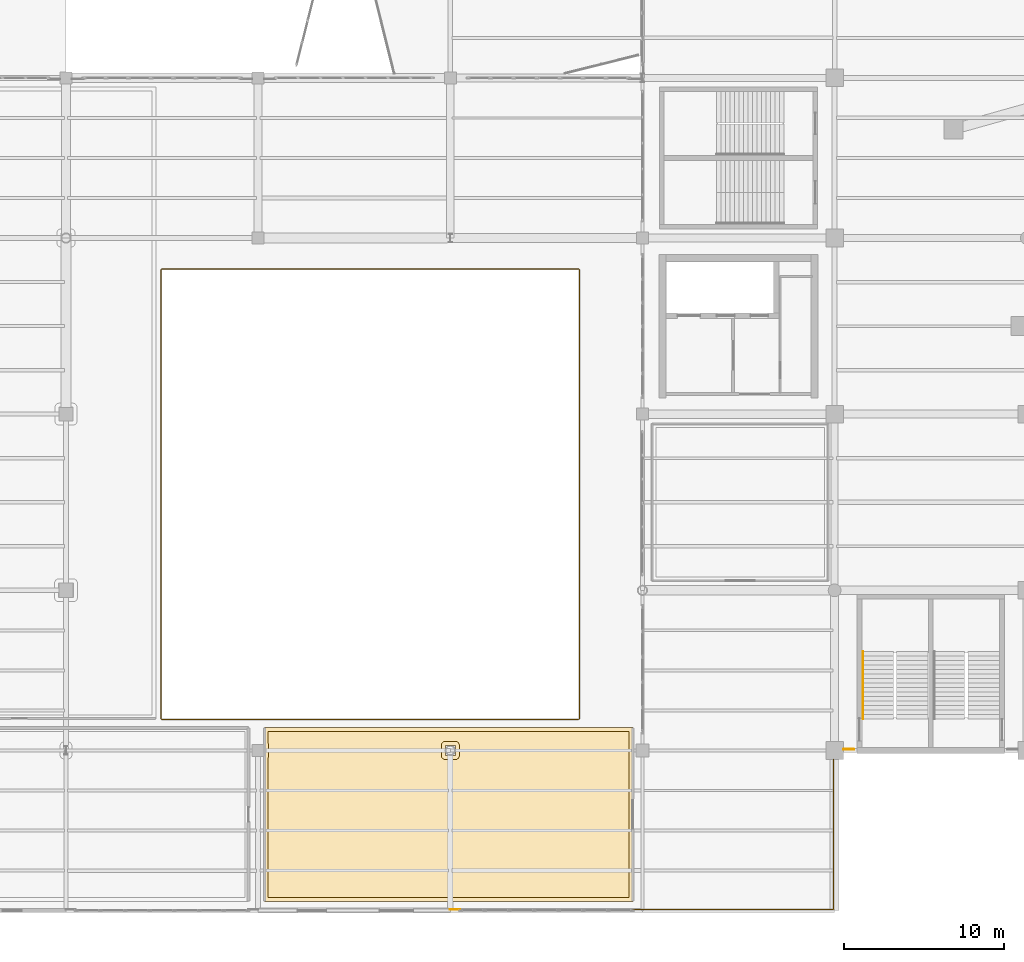
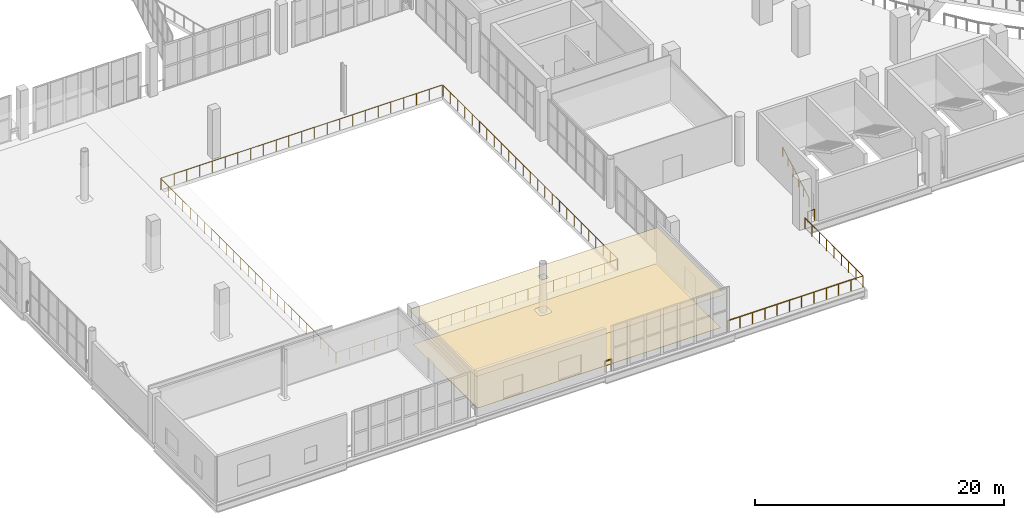
# One storey, part 121 of 136: 5 railings, 2 coverings.
"""IFC4 building model written with IfcOpenShell, lengths in metres."""

import ifcopenshell
import ifcopenshell.guid

model = None  # the IFC model being written
_history = None  # IfcOwnerHistory: only IFC2X3 demands one
_inside = {}  # id of a spatial element -> (the spatial element, [elements in it])
_under = {}  # id of a project, library or spatial element -> (it, [spatial elements below it])
_declared = {}  # id of a project -> (the project, [libraries it declares])
_typed = {}  # id of a type object -> (the type object, [elements of that type])
_made_of = {}  # id of a material, layer set ... -> (it, [elements and type objects made of it])


def new_model(schema):
    """Start an empty IFC model of exactly this schema.

    Asked for "IFC4X3", IfcOpenShell would pick the latest addendum, in which some entities
    have other attributes; the version numbers below select the first issue.
    IFC2X3 requires an IfcOwnerHistory on every rooted entity: one is made here for all.
    """
    global model, _history
    if schema == "IFC4X3":
        model = ifcopenshell.file(schema_version=(4, 3, 0, 0))
    else:
        model = ifcopenshell.file(schema=schema)
    _inside.clear()
    _under.clear()
    _declared.clear()
    _typed.clear()
    _made_of.clear()
    _history = None
    if model.schema == "IFC2X3":
        org = make("IfcOrganization", Name="unknown")
        user = make(
            "IfcPersonAndOrganization",
            ThePerson=make("IfcPerson", FamilyName="unknown"),
            TheOrganization=org,
        )
        app = make(
            "IfcApplication",
            ApplicationDeveloper=org,
            Version="unknown",
            ApplicationFullName="unknown",
            ApplicationIdentifier="unknown",
        )
        _history = make(
            "IfcOwnerHistory",
            OwningUser=user,
            OwningApplication=app,
            ChangeAction="ADDED",
            CreationDate=0,
        )
    return model


def make(cls, **values):
    """One entity of the class cls with the attributes given. An attribute that is None is left unset."""
    return model.create_entity(
        cls, **{name: value for name, value in values.items() if value is not None}
    )


def rooted(cls, **values):
    """An entity with a GlobalId (a new one), such as an element, a storey or a relation."""
    return make(cls, GlobalId=ifcopenshell.guid.new(), OwnerHistory=_history, **values)


def si_unit(unit_type, name, prefix=None):
    """IfcSIUnit, for example si_unit("LENGTHUNIT", "METRE", prefix="MILLI")."""
    return make("IfcSIUnit", UnitType=unit_type, Prefix=prefix, Name=name)


def assignment(units):
    """IfcUnitAssignment: the units of a project."""
    return None if units is None else make("IfcUnitAssignment", Units=units)


def point(xyz):
    """IfcCartesianPoint."""
    return None if xyz is None else make("IfcCartesianPoint", Coordinates=xyz)


def direction(xyz):
    """IfcDirection."""
    return None if xyz is None else make("IfcDirection", DirectionRatios=xyz)


def frame(location, z_axis=None, x_axis=None):
    """IfcAxis2Placement3D, a coordinate frame: its origin and axes. An axis left out is left unset."""
    return make(
        "IfcAxis2Placement3D",
        Location=point(location),
        Axis=direction(z_axis),
        RefDirection=direction(x_axis),
    )


def frame_2d(location, x_axis=None):
    """IfcAxis2Placement2D, a coordinate frame in the plane: its origin and x axis."""
    return make(
        "IfcAxis2Placement2D", Location=point(location), RefDirection=direction(x_axis)
    )


def origin():
    """The frame at (0, 0, 0) with its axes left unset."""
    return frame((0.0, 0.0, 0.0))


def origin_2d():
    """The frame at (0, 0) in the plane with its x axis left unset."""
    return frame_2d((0.0, 0.0))


def place(relative_to, where):
    """IfcLocalPlacement: puts the frame where relative to a parent placement (None: the world)."""
    return make(
        "IfcLocalPlacement", PlacementRelTo=relative_to, RelativePlacement=where
    )


def context(
    kind, dimensions, precision=None, world=None, true_north=None, identifier=None
):
    """IfcGeometricRepresentationContext, for example the 3D "Model" context."""
    return make(
        "IfcGeometricRepresentationContext",
        ContextIdentifier=identifier,
        ContextType=kind,
        CoordinateSpaceDimension=dimensions,
        Precision=precision,
        WorldCoordinateSystem=world,
        TrueNorth=true_north,
    )


def subcontext(parent, identifier, kind, view, scale=None):
    """IfcGeometricRepresentationSubContext, for example "Body" below "Model"."""
    return make(
        "IfcGeometricRepresentationSubContext",
        ContextIdentifier=identifier,
        ContextType=kind,
        ParentContext=parent,
        TargetScale=scale,
        TargetView=view,
    )


def project(units=None, contexts=None):
    """IfcProject with its units and contexts."""
    return rooted(
        "IfcProject",
        Name="project",
        RepresentationContexts=contexts,
        UnitsInContext=assignment(units),
    )


def spatial(cls, under=None, at=None, **own):
    """A site, building, storey or space (cls), placed at a placement, below another one or the project."""
    s = rooted(cls, ObjectPlacement=at, **own)
    if under is not None:
        _under.setdefault(under.id(), (under, []))[1].append(s)
    return s


def polyline(points):
    """IfcPolyline through the points."""
    return make("IfcPolyline", Points=[point(p) for p in points])


def profile(cls, at=None, kind="AREA", **sizes):
    """A parametric profile (cls). Its sizes go by their IFC names, for example OverallWidth=200.0."""
    return make(cls, ProfileType=kind, Position=at, **sizes)


def circle(**sizes):
    """IfcCircleProfileDef."""
    return profile("IfcCircleProfileDef", **sizes)


def outline(outer, holes=None, kind="AREA"):
    """IfcArbitraryClosedProfileDef: a profile drawn as a closed curve; with holes, ...WithVoids."""
    if holes is None:
        return make("IfcArbitraryClosedProfileDef", ProfileType=kind, OuterCurve=outer)
    return make(
        "IfcArbitraryProfileDefWithVoids",
        ProfileType=kind,
        OuterCurve=outer,
        InnerCurves=holes,
    )


def extrude(swept, where, along, depth):
    """IfcExtrudedAreaSolid: the profile swept, set in the frame where, extruded along a direction by depth."""
    return make(
        "IfcExtrudedAreaSolid",
        SweptArea=swept,
        Position=where,
        ExtrudedDirection=direction(along),
        Depth=depth,
    )


def shape(context_of_items, identifier, shape_type, items):
    """IfcShapeRepresentation: the items that make up one representation, for example the "Body"."""
    return make(
        "IfcShapeRepresentation",
        ContextOfItems=context_of_items,
        RepresentationIdentifier=identifier,
        RepresentationType=shape_type,
        Items=items,
    )


def material(Name=None, Category=None):
    """IfcMaterial."""
    return make("IfcMaterial", Name=Name, Category=Category)


def layer(
    of_material, thickness, ventilated=None, Name=None, Category=None, Priority=None
):
    """IfcMaterialLayer: one layer of a wall or slab, of a material (None: an air gap)."""
    return make(
        "IfcMaterialLayer",
        Material=of_material,
        LayerThickness=thickness,
        IsVentilated=ventilated,
        Name=Name,
        Category=Category,
        Priority=Priority,
    )


def layer_set(layers, Name=None):
    """IfcMaterialLayerSet."""
    return make("IfcMaterialLayerSet", MaterialLayers=layers, LayerSetName=Name)


def made_of(thing, what):
    """Note that an element or type object is made of a material, layer set ...; save() writes the relation."""
    if what is not None:
        _made_of.setdefault(what.id(), (what, []))[1].append(thing)
    return thing


def type_object(cls, material=None, **own):
    """A type object (cls), such as IfcWallType, which elements share."""
    return made_of(rooted(cls, **own), material)


def element(
    cls,
    number,
    at=None,
    inside=None,
    cuts=None,
    type_object=None,
    material=None,
    context=None,
    identifier="Body",
    shape_type=None,
    held_by="IfcProductDefinitionShape",
    body=None,
    shapes=None,
    **own,
):
    """One element of the class cls, such as IfcWall. Its Tag is "e" and its number.

    at: its placement. inside: the storey or other place that contains it. cuts: it is an
    opening in that element (IfcRelVoidsElement). A single representation is given by context,
    identifier, shape_type and body (its items); several are given by shapes. held_by: the class
    of the entity that holds the representations. save() writes the other relations.
    """
    e = rooted(cls, Tag="e%d" % number, ObjectPlacement=at, **own)
    if body is not None:
        shapes = [shape(context, identifier, shape_type, body)]
    if shapes is not None:
        e.Representation = make(held_by, Representations=shapes)
    if inside is not None:
        _inside.setdefault(inside.id(), (inside, []))[1].append(e)
    if cuts is not None:
        rooted(
            "IfcRelVoidsElement", RelatingBuildingElement=cuts, RelatedOpeningElement=e
        )
    if type_object is not None:
        _typed.setdefault(type_object.id(), (type_object, []))[1].append(e)
    return made_of(e, material)


def aggregate(whole, parts):
    """IfcRelAggregates: a whole, such as a stair, and the parts it consists of."""
    return rooted("IfcRelAggregates", RelatingObject=whole, RelatedObjects=parts)


def save(model, path):
    """Write the relations noted so far, then the file.

    IfcRelAggregates (storeys below a building ...), IfcRelContainedInSpatialStructure (elements
    in a storey), IfcRelDefinesByType, IfcRelAssociatesMaterial and IfcRelDeclares: one each for
    every whole, place, type object, material and project.
    """
    for whole, parts in _under.values():
        aggregate(whole, parts)
    for where, things in _inside.values():
        rooted(
            "IfcRelContainedInSpatialStructure",
            RelatedElements=things,
            RelatingStructure=where,
        )
    for kind, things in _typed.values():
        rooted("IfcRelDefinesByType", RelatedObjects=things, RelatingType=kind)
    for what, things in _made_of.values():
        rooted("IfcRelAssociatesMaterial", RelatedObjects=things, RelatingMaterial=what)
    for by, libraries in _declared.values():
        rooted("IfcRelDeclares", RelatingContext=by, RelatedDefinitions=libraries)
    model.write(path)


model = new_model("IFC4")

# Units and contexts
model_context = context("Model", 3, precision=1e-05, world=origin(), true_north=direction((0.0, 1.0)))
body_context = subcontext(model_context, "Body", "Model", "MODEL_VIEW")
ifc_project = project(units=[si_unit("LENGTHUNIT", "METRE"), si_unit("AREAUNIT", "SQUARE_METRE"), si_unit("VOLUMEUNIT", "CUBIC_METRE"), si_unit("PLANEANGLEUNIT", "RADIAN"), si_unit("MASSUNIT", "GRAM", prefix="KILO")], contexts=[model_context])

# Site, building, storey
site_placement = place(None, origin())
site = spatial("IfcSite", under=ifc_project, at=site_placement, CompositionType="ELEMENT")
building_placement = place(site_placement, origin())
building = spatial("IfcBuilding", under=site, at=building_placement, Name="Brinegate Civic Arena", CompositionType="ELEMENT")
storey_placement = place(building_placement, frame((0.0, 0.0, 5.39990234375)))
storey = spatial("IfcBuildingStorey", under=building, at=storey_placement, Name="L01", CompositionType="ELEMENT", Elevation=5.39990234375)

# Coverings
ifc_material_1 = material(Name="Acoustic perforated aluminium ceiling", Category="aluminium")
ifc_layer_1 = layer(ifc_material_1, 0.02490234375, Name="Acoustic perforated aluminium ceiling")
ifc_layer_set_1 = layer_set([ifc_layer_1], Name="Acoustic perforated aluminium ceiling")
covering_type_1 = type_object("IfcCoveringType", Name="CEILING-ACOUSTIC-25", PredefinedType="CEILING", material=ifc_layer_set_1)
covering_1_placement = place(storey_placement, frame((0.0, 0.0, 3.3251953125)))
element("IfcCovering", 1, at=covering_1_placement, inside=storey, type_object=covering_type_1, Name="Acoustic Ceiling L01-003", PredefinedType="CEILING", context=body_context, shape_type="SweptSolid", body=[
    extrude(outline(polyline([(47.404052734375, 11.419921875), (47.406005859375, 11.4189453125), (47.407958984375, 11.41796875), (47.408935546875, 11.41796875), (47.410888671875, 11.4169921875), (47.4130859375, 11.4150390625), (47.4140625, 11.4140625), (47.4150390625, 11.4130859375), (47.4169921875, 11.410888671875), (47.41796875, 11.408935546875), (47.41796875, 11.407958984375), (47.4189453125, 11.406005859375), (47.419921875, 11.404052734375), (47.419921875, 11.402099609375), (47.419921875, 11.39990234375), (47.419921875, 0.60009765625), (47.419921875, 0.597900390625), (47.419921875, 0.595947265625), (47.4189453125, 0.593994140625), (47.41796875, 0.592041015625), (47.41796875, 0.591064453125), (47.4169921875, 0.589111328125), (47.4150390625, 0.5869140625), (47.4140625, 0.5859375), (47.4130859375, 0.5849609375), (47.410888671875, 0.5830078125), (47.408935546875, 0.58203125), (47.407958984375, 0.58203125), (47.406005859375, 0.5810546875), (47.404052734375, 0.580078125), (47.402099609375, 0.580078125), (47.39990234375, 0.580078125), (24.39990234375, 0.580078125), (24.39794921875, 0.580078125), (24.39599609375, 0.580078125), (24.39404296875, 0.5810546875), (24.39208984375, 0.58203125), (24.39111328125, 0.58203125), (24.388916015625, 0.5830078125), (24.386962890625, 0.5849609375), (24.385986328125, 0.5859375), (24.385009765625, 0.5869140625), (24.383056640625, 0.589111328125), (24.382080078125, 0.591064453125), (24.382080078125, 0.592041015625), (24.381103515625, 0.593994140625), (24.3798828125, 0.595947265625), (24.3798828125, 0.597900390625), (24.3798828125, 0.60009765625), (24.3798828125, 9.614990234375), (24.385009765625, 9.614990234375), (24.385009765625, 10.385009765625), (24.3798828125, 10.385009765625), (24.3798828125, 11.39990234375), (24.3798828125, 11.402099609375), (24.3798828125, 11.404052734375), (24.381103515625, 11.406005859375), (24.382080078125, 11.407958984375), (24.382080078125, 11.408935546875), (24.383056640625, 11.410888671875), (24.385009765625, 11.4130859375), (24.385986328125, 11.4140625), (24.386962890625, 11.4150390625), (24.388916015625, 11.4169921875), (24.39111328125, 11.41796875), (24.39208984375, 11.41796875), (24.39404296875, 11.4189453125), (24.39599609375, 11.419921875), (24.39794921875, 11.419921875), (24.39990234375, 11.419921875), (47.39990234375, 11.419921875), (47.402099609375, 11.419921875), (47.404052734375, 11.419921875)]), holes=[polyline([(36.31494140625, 10.31494140625), (35.68505859375, 10.31494140625), (35.68505859375, 9.68505859375), (36.31494140625, 9.68505859375), (36.31494140625, 10.31494140625)])]), origin(), (0.0, 0.0, 1.0), 0.02490234375),
])
ifc_material_2 = material(Name="Polished coral terrazzo flooring")
ifc_layer_2 = layer(ifc_material_2, 0.028076171875, Name="Polished coral terrazzo flooring")
ifc_layer_set_2 = layer_set([ifc_layer_2], Name="Polished coral terrazzo flooring")
covering_type_2 = type_object("IfcCoveringType", Name="FLOORING-TERRAZZO-28", PredefinedType="FLOORING", material=ifc_layer_set_2)
covering_2_placement = place(storey_placement, origin())
element("IfcCovering", 2, at=covering_2_placement, inside=storey, type_object=covering_type_2, Name="Flooring L01-003", PredefinedType="FLOORING", context=body_context, shape_type="SweptSolid", body=[
    extrude(outline(polyline([(24.6298828125, 11.169921875), (47.169921875, 11.169921875), (47.169921875, 0.830078125), (24.6298828125, 0.830078125), (24.6298828125, 9.56494140625), (24.6298828125, 9.56591796875), (24.634033203125, 9.590087890625), (24.635009765625, 9.614990234375), (24.635009765625, 10.385009765625), (24.634033203125, 10.409912109375), (24.6298828125, 10.43408203125), (24.6298828125, 10.43505859375), (24.6298828125, 11.169921875)]), holes=[polyline([(36.56494140625, 10.31494140625), (36.56396484375, 10.340087890625), (36.56005859375, 10.364013671875), (36.553955078125, 10.387939453125), (36.5458984375, 10.410888671875), (36.534912109375, 10.43310546875), (36.52294921875, 10.4541015625), (36.508056640625, 10.47412109375), (36.491943359375, 10.491943359375), (36.47412109375, 10.508056640625), (36.4541015625, 10.52294921875), (36.43310546875, 10.534912109375), (36.410888671875, 10.5458984375), (36.387939453125, 10.553955078125), (36.364013671875, 10.56005859375), (36.340087890625, 10.56396484375), (36.31494140625, 10.56494140625), (35.68505859375, 10.56494140625), (35.659912109375, 10.56396484375), (35.635986328125, 10.56005859375), (35.612060546875, 10.553955078125), (35.589111328125, 10.5458984375), (35.56689453125, 10.534912109375), (35.5458984375, 10.52294921875), (35.52587890625, 10.508056640625), (35.508056640625, 10.491943359375), (35.491943359375, 10.47412109375), (35.47705078125, 10.4541015625), (35.465087890625, 10.43310546875), (35.4541015625, 10.410888671875), (35.446044921875, 10.387939453125), (35.43994140625, 10.364013671875), (35.43603515625, 10.340087890625), (35.43505859375, 10.31494140625), (35.43505859375, 9.68505859375), (35.43603515625, 9.659912109375), (35.43994140625, 9.635986328125), (35.446044921875, 9.612060546875), (35.4541015625, 9.589111328125), (35.465087890625, 9.56689453125), (35.47705078125, 9.5458984375), (35.491943359375, 9.52587890625), (35.508056640625, 9.508056640625), (35.52587890625, 9.491943359375), (35.5458984375, 9.47705078125), (35.56689453125, 9.465087890625), (35.589111328125, 9.4541015625), (35.612060546875, 9.446044921875), (35.635986328125, 9.43994140625), (35.659912109375, 9.43603515625), (35.68505859375, 9.43505859375), (36.31494140625, 9.43505859375), (36.340087890625, 9.43603515625), (36.364013671875, 9.43994140625), (36.387939453125, 9.446044921875), (36.410888671875, 9.4541015625), (36.43310546875, 9.465087890625), (36.4541015625, 9.47705078125), (36.47412109375, 9.491943359375), (36.491943359375, 9.508056640625), (36.508056640625, 9.52587890625), (36.52294921875, 9.5458984375), (36.534912109375, 9.56689453125), (36.5458984375, 9.589111328125), (36.553955078125, 9.612060546875), (36.56005859375, 9.635986328125), (36.56396484375, 9.659912109375), (36.56494140625, 9.68505859375), (36.56494140625, 10.31494140625)])]), origin(), (0.0, 0.0, 1.0), 0.028076171875),
])

# Railings
ifc_material_3 = material(Name="Architectural stainless steel balustrade", Category="steel")
railing_type_1 = type_object("IfcRailingType", Name="RAIL-STAIR-HANDRAIL-900", PredefinedType="HANDRAIL", material=ifc_material_3)
railing_1_placement = place(storey_placement, frame((61.77490234375, 11.969970703125, 0.0)))
element("IfcRailing", 3, at=railing_1_placement, inside=storey, type_object=railing_type_1, Name="Stair Pitch Handrail ST-02A L01", PredefinedType="HANDRAIL", context=body_context, shape_type="SweptSolid", body=[
    extrude(circle(Radius=0.02392578125, at=origin_2d()), frame((0.0, 0.001220703125, 0.876708984375), z_axis=(0.0, 0.868227612608, 0.496166114024), x_axis=(-1.0, 0.0, 0.0)), (0.0, 0.0, 1.0), 4.83447265625),
    extrude(circle(Radius=0.02099609375, at=origin_2d()), origin(), (0.0, 0.0, 1.0), 0.849853515625),
    extrude(circle(Radius=0.02099609375, at=origin_2d()), frame((0.0, 0.840087890625, 0.47998046875)), (0.0, 0.0, 1.0), 0.849853515625),
    extrude(circle(Radius=0.02099609375, at=origin_2d()), frame((0.0, 1.679931640625, 0.9599609375)), (0.0, 0.0, 1.0), 0.849853515625),
    extrude(circle(Radius=0.02099609375, at=origin_2d()), frame((0.0, 2.52001953125, 1.440185546875)), (0.0, 0.0, 1.0), 0.849853515625),
    extrude(circle(Radius=0.02099609375, at=origin_2d()), frame((0.0, 3.35986328125, 1.920166015625)), (0.0, 0.0, 1.0), 0.849853515625),
    extrude(circle(Radius=0.02099609375, at=origin_2d()), frame((0.0, 4.199951171875, 2.400146484375)), (0.0, 0.0, 1.0), 0.849853515625),
])
railing_type_2 = type_object("IfcRailingType", Name="RAIL-VOID-BALUSTRADE-1120", PredefinedType="BALUSTRADE", material=ifc_material_3)
railing_2_placement = place(storey_placement, frame((61.199951171875, 10.070068359375, 0.0)))
element("IfcRailing", 4, at=railing_2_placement, inside=storey, type_object=railing_type_2, Name="Deck Edge Balustrade L01-083", PredefinedType="BALUSTRADE", context=body_context, shape_type="SweptSolid", body=[
    extrude(circle(Radius=0.02392578125, at=origin_2d()), frame((-0.00146484375, 0.0, 1.09619140625), z_axis=(-1.0, 0.0, 0.0), x_axis=(0.0, -1.0, 0.0)), (0.0, 0.0, 1.0), 0.626953125),
    extrude(circle(Radius=0.02099609375, at=origin_2d()), origin(), (0.0, 0.0, 1.0), 1.070068359375),
    extrude(circle(Radius=0.02099609375, at=origin_2d()), frame((-0.6298828125, 0.0, 0.0)), (0.0, 0.0, 1.0), 1.070068359375),
])
railing_3_placement = place(storey_placement, frame((59.929931640625, 9.429931640625, 0.0)))
element("IfcRailing", 5, at=railing_3_placement, inside=storey, type_object=railing_type_2, Name="Deck Edge Balustrade L01-084", PredefinedType="BALUSTRADE", context=body_context, shape_type="SweptSolid", body=[
    extrude(circle(Radius=0.02392578125, at=origin_2d()), frame((0.0, -0.00146484375, 1.09619140625), z_axis=(0.0, -1.0, 0.0), x_axis=(1.0, 0.0, 0.0)), (0.0, 0.0, 1.0), 9.35693359375),
    extrude(circle(Radius=0.02392578125, at=origin_2d()), frame((-0.00146484375, -9.35986328125, 1.09619140625), z_axis=(-1.0, 0.0, 0.0), x_axis=(0.0, -1.0, 0.0)), (0.0, 0.0, 1.0), 12.527099609375),
    extrude(circle(Radius=0.02099609375, at=origin_2d()), origin(), (0.0, 0.0, 1.0), 1.070068359375),
    extrude(circle(Radius=0.02099609375, at=origin_2d()), frame((0.0, -1.169921875, 0.0)), (0.0, 0.0, 1.0), 1.070068359375),
    extrude(circle(Radius=0.02099609375, at=origin_2d()), frame((0.0, -2.33984375, 0.0)), (0.0, 0.0, 1.0), 1.070068359375),
    extrude(circle(Radius=0.02099609375, at=origin_2d()), frame((0.0, -3.510009765625, 0.0)), (0.0, 0.0, 1.0), 1.070068359375),
    extrude(circle(Radius=0.02099609375, at=origin_2d()), frame((0.0, -4.679931640625, 0.0)), (0.0, 0.0, 1.0), 1.070068359375),
    extrude(circle(Radius=0.02099609375, at=origin_2d()), frame((0.0, -5.849853515625, 0.0)), (0.0, 0.0, 1.0), 1.070068359375),
    extrude(circle(Radius=0.02099609375, at=origin_2d()), frame((0.0, -7.02001953125, 0.0)), (0.0, 0.0, 1.0), 1.070068359375),
    extrude(circle(Radius=0.02099609375, at=origin_2d()), frame((0.0, -8.18994140625, 0.0)), (0.0, 0.0, 1.0), 1.070068359375),
    extrude(circle(Radius=0.02099609375, at=origin_2d()), frame((0.0, -9.35986328125, 0.0)), (0.0, 0.0, 1.0), 1.070068359375),
    extrude(circle(Radius=0.02099609375, at=origin_2d()), frame((-1.13916015625, -9.35986328125, 0.0)), (0.0, 0.0, 1.0), 1.070068359375),
    extrude(circle(Radius=0.02099609375, at=origin_2d()), frame((-2.278076171875, -9.35986328125, 0.0)), (0.0, 0.0, 1.0), 1.070068359375),
    extrude(circle(Radius=0.02099609375, at=origin_2d()), frame((-3.417236328125, -9.35986328125, 0.0)), (0.0, 0.0, 1.0), 1.070068359375),
    extrude(circle(Radius=0.02099609375, at=origin_2d()), frame((-4.556396484375, -9.35986328125, 0.0)), (0.0, 0.0, 1.0), 1.070068359375),
    extrude(circle(Radius=0.02099609375, at=origin_2d()), frame((-5.695556640625, -9.35986328125, 0.0)), (0.0, 0.0, 1.0), 1.070068359375),
    extrude(circle(Radius=0.02099609375, at=origin_2d()), frame((-6.83447265625, -9.35986328125, 0.0)), (0.0, 0.0, 1.0), 1.070068359375),
    extrude(circle(Radius=0.02099609375, at=origin_2d()), frame((-7.9736328125, -9.35986328125, 0.0)), (0.0, 0.0, 1.0), 1.070068359375),
    extrude(circle(Radius=0.02099609375, at=origin_2d()), frame((-9.11279296875, -9.35986328125, 0.0)), (0.0, 0.0, 1.0), 1.070068359375),
    extrude(circle(Radius=0.02099609375, at=origin_2d()), frame((-10.251953125, -9.35986328125, 0.0)), (0.0, 0.0, 1.0), 1.070068359375),
    extrude(circle(Radius=0.02099609375, at=origin_2d()), frame((-11.390869140625, -9.35986328125, 0.0)), (0.0, 0.0, 1.0), 1.070068359375),
    extrude(circle(Radius=0.02099609375, at=origin_2d()), frame((-12.530029296875, -9.35986328125, 0.0)), (0.0, 0.0, 1.0), 1.070068359375),
])
railing_4_placement = place(storey_placement, frame((36.60009765625, 0.070068359375, 0.0)))
element("IfcRailing", 6, at=railing_4_placement, inside=storey, type_object=railing_type_2, Name="Deck Edge Balustrade L01-085", PredefinedType="BALUSTRADE", context=body_context, shape_type="SweptSolid", body=[
    extrude(circle(Radius=0.02392578125, at=origin_2d()), frame((-0.00146484375, 0.0, 1.09619140625), z_axis=(-1.0, 0.0, 0.0), x_axis=(0.0, -1.0, 0.0)), (0.0, 0.0, 1.0), 0.59716796875),
    extrude(circle(Radius=0.02099609375, at=origin_2d()), origin(), (0.0, 0.0, 1.0), 1.070068359375),
    extrude(circle(Radius=0.02099609375, at=origin_2d()), frame((-0.60009765625, 0.0, 0.0)), (0.0, 0.0, 1.0), 1.070068359375),
])
railing_5_placement = place(storey_placement, frame((18.0, 40.070068359375, 0.0)))
element("IfcRailing", 7, at=railing_5_placement, inside=storey, type_object=railing_type_2, Name="Deck Edge Balustrade L01-112", PredefinedType="BALUSTRADE", context=body_context, shape_type="SweptSolid", body=[
    extrude(circle(Radius=0.02392578125, at=origin_2d()), frame((-0.00146484375, -0.000244140625, 1.09619140625), z_axis=(-0.98766511198, -0.156581054338, 0.0), x_axis=(0.156581054338, -0.98766511198, 0.0)), (0.0, 0.0, 1.0), 0.017333984375),
    extrude(circle(Radius=0.02392578125, at=origin_2d()), frame((-0.021484375, -0.00390625, 1.09619140625), z_axis=(-0.9079593845, -0.419058177462, 0.0), x_axis=(0.419058177462, -0.9079593845, 0.0)), (0.0, 0.0, 1.0), 0.01806640625),
    extrude(circle(Radius=0.02392578125, at=origin_2d()), frame((-0.0400390625, -0.012939453125, 1.09619140625), z_axis=(-0.724702747327, -0.689061628606, 0.0), x_axis=(0.689061628606, -0.724702747327, 0.0)), (0.0, 0.0, 1.0), 0.017578125),
    extrude(circle(Radius=0.02392578125, at=origin_2d()), frame((-0.0546875, -0.02734375, 1.09619140625), z_axis=(-0.546267780547, -0.837610596839, 0.0), x_axis=(0.837610596839, -0.546267780547, 0.0)), (0.0, 0.0, 1.0), 0.01708984375),
    extrude(circle(Radius=0.02392578125, at=origin_2d()), frame((-0.0654296875, -0.04443359375, 1.09619140625), z_axis=(-0.248091107232, -0.968736704431, 0.0), x_axis=(0.968736704431, -0.248091107232, 0.0)), (0.0, 0.0, 1.0), 0.017578125),
    extrude(circle(Radius=0.02392578125, at=origin_2d()), frame((-0.070068359375, -0.064453125, 1.09619140625), z_axis=(0.0, -1.0, 0.0), x_axis=(1.0, 0.0, 0.0)), (0.0, 0.0, 1.0), 28.004150390625),
    extrude(circle(Radius=0.02392578125, at=origin_2d()), frame((-0.06982421875, -28.071533203125, 1.09619140625), z_axis=(0.156581054338, -0.98766511198, 0.0), x_axis=(0.98766511198, 0.156581054338, 0.0)), (0.0, 0.0, 1.0), 0.017333984375),
    extrude(circle(Radius=0.02392578125, at=origin_2d()), frame((-0.066162109375, -28.091552734375, 1.09619140625), z_axis=(0.419058177462, -0.9079593845, 0.0), x_axis=(0.9079593845, 0.419058177462, 0.0)), (0.0, 0.0, 1.0), 0.01806640625),
    extrude(circle(Radius=0.02392578125, at=origin_2d()), frame((-0.05712890625, -28.110107421875, 1.09619140625), z_axis=(0.689061628606, -0.724702747327, 0.0), x_axis=(0.724702747327, 0.689061628606, 0.0)), (0.0, 0.0, 1.0), 0.017578125),
    extrude(circle(Radius=0.02392578125, at=origin_2d()), frame((-0.042724609375, -28.124755859375, 1.09619140625), z_axis=(0.837610596839, -0.546267780547, 0.0), x_axis=(0.546267780547, 0.837610596839, 0.0)), (0.0, 0.0, 1.0), 0.01708984375),
    extrude(circle(Radius=0.02392578125, at=origin_2d()), frame((-0.025634765625, -28.135498046875, 1.09619140625), z_axis=(0.968736704431, -0.248091107232, 0.0), x_axis=(0.248091107232, 0.968736704431, 0.0)), (0.0, 0.0, 1.0), 0.017578125),
    extrude(circle(Radius=0.02392578125, at=origin_2d()), frame((-0.005615234375, -28.14013671875, 1.09619140625), z_axis=(1.0, 0.0, 0.0), x_axis=(0.0, 1.0, 0.0)), (0.0, 0.0, 1.0), 26.004150390625),
    extrude(circle(Radius=0.02392578125, at=origin_2d()), frame((26.00146484375, -28.139892578125, 1.09619140625), z_axis=(0.98766511198, 0.156581054338, 0.0), x_axis=(-0.156581054338, 0.98766511198, 0.0)), (0.0, 0.0, 1.0), 0.017333984375),
    extrude(circle(Radius=0.02392578125, at=origin_2d()), frame((26.021484375, -28.13623046875, 1.09619140625), z_axis=(0.9079593845, 0.419058177462, 0.0), x_axis=(-0.419058177462, 0.9079593845, 0.0)), (0.0, 0.0, 1.0), 0.01806640625),
    extrude(circle(Radius=0.02392578125, at=origin_2d()), frame((26.0400390625, -28.127197265625, 1.09619140625), z_axis=(0.724702747327, 0.689061628606, 0.0), x_axis=(-0.689061628606, 0.724702747327, 0.0)), (0.0, 0.0, 1.0), 0.017578125),
    extrude(circle(Radius=0.02392578125, at=origin_2d()), frame((26.0546875, -28.11279296875, 1.09619140625), z_axis=(0.546267780547, 0.837610596839, 0.0), x_axis=(-0.837610596839, 0.546267780547, 0.0)), (0.0, 0.0, 1.0), 0.01708984375),
    extrude(circle(Radius=0.02392578125, at=origin_2d()), frame((26.0654296875, -28.095703125, 1.09619140625), z_axis=(0.248091107232, 0.968736704431, 0.0), x_axis=(-0.968736704431, 0.248091107232, 0.0)), (0.0, 0.0, 1.0), 0.017578125),
    extrude(circle(Radius=0.02392578125, at=origin_2d()), frame((26.070068359375, -28.07568359375, 1.09619140625), z_axis=(0.0, 1.0, 0.0), x_axis=(-1.0, 0.0, 0.0)), (0.0, 0.0, 1.0), 28.004150390625),
    extrude(circle(Radius=0.02392578125, at=origin_2d()), frame((26.06982421875, -0.068603515625, 1.09619140625), z_axis=(-0.156581054338, 0.98766511198, 0.0), x_axis=(-0.98766511198, -0.156581054338, 0.0)), (0.0, 0.0, 1.0), 0.017333984375),
    extrude(circle(Radius=0.02392578125, at=origin_2d()), frame((26.066162109375, -0.048583984375, 1.09619140625), z_axis=(-0.419058177462, 0.9079593845, 0.0), x_axis=(-0.9079593845, -0.419058177462, 0.0)), (0.0, 0.0, 1.0), 0.01806640625),
    extrude(circle(Radius=0.02392578125, at=origin_2d()), frame((26.05712890625, -0.030029296875, 1.09619140625), z_axis=(-0.689061628606, 0.724702747327, 0.0), x_axis=(-0.724702747327, -0.689061628606, 0.0)), (0.0, 0.0, 1.0), 0.017578125),
    extrude(circle(Radius=0.02392578125, at=origin_2d()), frame((26.042724609375, -0.015380859375, 1.09619140625), z_axis=(-0.837610596839, 0.546267780547, 0.0), x_axis=(-0.546267780547, -0.837610596839, 0.0)), (0.0, 0.0, 1.0), 0.01708984375),
    extrude(circle(Radius=0.02392578125, at=origin_2d()), frame((26.025634765625, -0.004638671875, 1.09619140625), z_axis=(-0.968736704431, 0.248091107232, 0.0), x_axis=(-0.248091107232, -0.968736704431, 0.0)), (0.0, 0.0, 1.0), 0.017578125),
    extrude(circle(Radius=0.02392578125, at=origin_2d()), frame((26.005615234375, 0.0, 1.09619140625), z_axis=(-1.0, 0.0, 0.0), x_axis=(0.0, -1.0, 0.0)), (0.0, 0.0, 1.0), 26.004150390625),
    extrude(circle(Radius=0.02099609375, at=origin_2d()), origin(), (0.0, 0.0, 1.0), 1.070068359375),
    extrude(circle(Radius=0.02099609375, at=origin_2d()), frame((-0.070068359375, -0.06298828125, 0.0)), (0.0, 0.0, 1.0), 1.070068359375),
    extrude(circle(Radius=0.02099609375, at=origin_2d()), frame((-0.070068359375, -1.22998046875, 0.0)), (0.0, 0.0, 1.0), 1.070068359375),
    extrude(circle(Radius=0.02099609375, at=origin_2d()), frame((-0.070068359375, -2.39697265625, 0.0)), (0.0, 0.0, 1.0), 1.070068359375),
    extrude(circle(Radius=0.02099609375, at=origin_2d()), frame((-0.070068359375, -3.56396484375, 0.0)), (0.0, 0.0, 1.0), 1.070068359375),
    extrude(circle(Radius=0.02099609375, at=origin_2d()), frame((-0.070068359375, -4.73095703125, 0.0)), (0.0, 0.0, 1.0), 1.070068359375),
    extrude(circle(Radius=0.02099609375, at=origin_2d()), frame((-0.070068359375, -5.897705078125, 0.0)), (0.0, 0.0, 1.0), 1.070068359375),
    extrude(circle(Radius=0.02099609375, at=origin_2d()), frame((-0.070068359375, -7.064697265625, 0.0)), (0.0, 0.0, 1.0), 1.070068359375),
    extrude(circle(Radius=0.02099609375, at=origin_2d()), frame((-0.070068359375, -8.231689453125, 0.0)), (0.0, 0.0, 1.0), 1.070068359375),
    extrude(circle(Radius=0.02099609375, at=origin_2d()), frame((-0.070068359375, -9.398681640625, 0.0)), (0.0, 0.0, 1.0), 1.070068359375),
    extrude(circle(Radius=0.02099609375, at=origin_2d()), frame((-0.070068359375, -10.565673828125, 0.0)), (0.0, 0.0, 1.0), 1.070068359375),
    extrude(circle(Radius=0.02099609375, at=origin_2d()), frame((-0.070068359375, -11.732666015625, 0.0)), (0.0, 0.0, 1.0), 1.070068359375),
    extrude(circle(Radius=0.02099609375, at=origin_2d()), frame((-0.070068359375, -12.899658203125, 0.0)), (0.0, 0.0, 1.0), 1.070068359375),
    extrude(circle(Radius=0.02099609375, at=origin_2d()), frame((-0.070068359375, -14.06640625, 0.0)), (0.0, 0.0, 1.0), 1.070068359375),
    extrude(circle(Radius=0.02099609375, at=origin_2d()), frame((-0.070068359375, -15.2333984375, 0.0)), (0.0, 0.0, 1.0), 1.070068359375),
    extrude(circle(Radius=0.02099609375, at=origin_2d()), frame((-0.070068359375, -16.400390625, 0.0)), (0.0, 0.0, 1.0), 1.070068359375),
    extrude(circle(Radius=0.02099609375, at=origin_2d()), frame((-0.070068359375, -17.5673828125, 0.0)), (0.0, 0.0, 1.0), 1.070068359375),
    extrude(circle(Radius=0.02099609375, at=origin_2d()), frame((-0.070068359375, -18.734375, 0.0)), (0.0, 0.0, 1.0), 1.070068359375),
    extrude(circle(Radius=0.02099609375, at=origin_2d()), frame((-0.070068359375, -19.9013671875, 0.0)), (0.0, 0.0, 1.0), 1.070068359375),
    extrude(circle(Radius=0.02099609375, at=origin_2d()), frame((-0.070068359375, -21.068359375, 0.0)), (0.0, 0.0, 1.0), 1.070068359375),
    extrude(circle(Radius=0.02099609375, at=origin_2d()), frame((-0.070068359375, -22.2353515625, 0.0)), (0.0, 0.0, 1.0), 1.070068359375),
    extrude(circle(Radius=0.02099609375, at=origin_2d()), frame((-0.070068359375, -23.40234375, 0.0)), (0.0, 0.0, 1.0), 1.070068359375),
    extrude(circle(Radius=0.02099609375, at=origin_2d()), frame((-0.070068359375, -24.569091796875, 0.0)), (0.0, 0.0, 1.0), 1.070068359375),
    extrude(circle(Radius=0.02099609375, at=origin_2d()), frame((-0.070068359375, -25.736083984375, 0.0)), (0.0, 0.0, 1.0), 1.070068359375),
    extrude(circle(Radius=0.02099609375, at=origin_2d()), frame((-0.070068359375, -26.903076171875, 0.0)), (0.0, 0.0, 1.0), 1.070068359375),
    extrude(circle(Radius=0.02099609375, at=origin_2d()), frame((-0.070068359375, -28.070068359375, 0.0)), (0.0, 0.0, 1.0), 1.070068359375),
    extrude(circle(Radius=0.02099609375, at=origin_2d()), frame((-0.007080078125, -28.14013671875, 0.0)), (0.0, 0.0, 1.0), 1.070068359375),
    extrude(circle(Radius=0.02099609375, at=origin_2d()), frame((1.175048828125, -28.14013671875, 0.0)), (0.0, 0.0, 1.0), 1.070068359375),
    extrude(circle(Radius=0.02099609375, at=origin_2d()), frame((2.357177734375, -28.14013671875, 0.0)), (0.0, 0.0, 1.0), 1.070068359375),
    extrude(circle(Radius=0.02099609375, at=origin_2d()), frame((3.539306640625, -28.14013671875, 0.0)), (0.0, 0.0, 1.0), 1.070068359375),
    extrude(circle(Radius=0.02099609375, at=origin_2d()), frame((4.721435546875, -28.14013671875, 0.0)), (0.0, 0.0, 1.0), 1.070068359375),
    extrude(circle(Radius=0.02099609375, at=origin_2d()), frame((5.903564453125, -28.14013671875, 0.0)), (0.0, 0.0, 1.0), 1.070068359375),
    extrude(circle(Radius=0.02099609375, at=origin_2d()), frame((7.085693359375, -28.14013671875, 0.0)), (0.0, 0.0, 1.0), 1.070068359375),
    extrude(circle(Radius=0.02099609375, at=origin_2d()), frame((8.267822265625, -28.14013671875, 0.0)), (0.0, 0.0, 1.0), 1.070068359375),
    extrude(circle(Radius=0.02099609375, at=origin_2d()), frame((9.449951171875, -28.14013671875, 0.0)), (0.0, 0.0, 1.0), 1.070068359375),
    extrude(circle(Radius=0.02099609375, at=origin_2d()), frame((10.632080078125, -28.14013671875, 0.0)), (0.0, 0.0, 1.0), 1.070068359375),
    extrude(circle(Radius=0.02099609375, at=origin_2d()), frame((11.814208984375, -28.14013671875, 0.0)), (0.0, 0.0, 1.0), 1.070068359375),
    extrude(circle(Radius=0.02099609375, at=origin_2d()), frame((12.99658203125, -28.14013671875, 0.0)), (0.0, 0.0, 1.0), 1.070068359375),
    extrude(circle(Radius=0.02099609375, at=origin_2d()), frame((14.1787109375, -28.14013671875, 0.0)), (0.0, 0.0, 1.0), 1.070068359375),
    extrude(circle(Radius=0.02099609375, at=origin_2d()), frame((15.36083984375, -28.14013671875, 0.0)), (0.0, 0.0, 1.0), 1.070068359375),
    extrude(circle(Radius=0.02099609375, at=origin_2d()), frame((16.54296875, -28.14013671875, 0.0)), (0.0, 0.0, 1.0), 1.070068359375),
    extrude(circle(Radius=0.02099609375, at=origin_2d()), frame((17.72509765625, -28.14013671875, 0.0)), (0.0, 0.0, 1.0), 1.070068359375),
    extrude(circle(Radius=0.02099609375, at=origin_2d()), frame((18.9072265625, -28.14013671875, 0.0)), (0.0, 0.0, 1.0), 1.070068359375),
    extrude(circle(Radius=0.02099609375, at=origin_2d()), frame((20.08935546875, -28.14013671875, 0.0)), (0.0, 0.0, 1.0), 1.070068359375),
    extrude(circle(Radius=0.02099609375, at=origin_2d()), frame((21.271484375, -28.14013671875, 0.0)), (0.0, 0.0, 1.0), 1.070068359375),
    extrude(circle(Radius=0.02099609375, at=origin_2d()), frame((22.45361328125, -28.14013671875, 0.0)), (0.0, 0.0, 1.0), 1.070068359375),
    extrude(circle(Radius=0.02099609375, at=origin_2d()), frame((23.6357421875, -28.14013671875, 0.0)), (0.0, 0.0, 1.0), 1.070068359375),
    extrude(circle(Radius=0.02099609375, at=origin_2d()), frame((24.81787109375, -28.14013671875, 0.0)), (0.0, 0.0, 1.0), 1.070068359375),
    extrude(circle(Radius=0.02099609375, at=origin_2d()), frame((26.0, -28.14013671875, 0.0)), (0.0, 0.0, 1.0), 1.070068359375),
    extrude(circle(Radius=0.02099609375, at=origin_2d()), frame((26.070068359375, -28.0771484375, 0.0)), (0.0, 0.0, 1.0), 1.070068359375),
    extrude(circle(Radius=0.02099609375, at=origin_2d()), frame((26.070068359375, -26.91015625, 0.0)), (0.0, 0.0, 1.0), 1.070068359375),
    extrude(circle(Radius=0.02099609375, at=origin_2d()), frame((26.070068359375, -25.7431640625, 0.0)), (0.0, 0.0, 1.0), 1.070068359375),
    extrude(circle(Radius=0.02099609375, at=origin_2d()), frame((26.070068359375, -24.576171875, 0.0)), (0.0, 0.0, 1.0), 1.070068359375),
    extrude(circle(Radius=0.02099609375, at=origin_2d()), frame((26.070068359375, -23.4091796875, 0.0)), (0.0, 0.0, 1.0), 1.070068359375),
    extrude(circle(Radius=0.02099609375, at=origin_2d()), frame((26.070068359375, -22.242431640625, 0.0)), (0.0, 0.0, 1.0), 1.070068359375),
    extrude(circle(Radius=0.02099609375, at=origin_2d()), frame((26.070068359375, -21.075439453125, 0.0)), (0.0, 0.0, 1.0), 1.070068359375),
    extrude(circle(Radius=0.02099609375, at=origin_2d()), frame((26.070068359375, -19.908447265625, 0.0)), (0.0, 0.0, 1.0), 1.070068359375),
    extrude(circle(Radius=0.02099609375, at=origin_2d()), frame((26.070068359375, -18.741455078125, 0.0)), (0.0, 0.0, 1.0), 1.070068359375),
    extrude(circle(Radius=0.02099609375, at=origin_2d()), frame((26.070068359375, -17.574462890625, 0.0)), (0.0, 0.0, 1.0), 1.070068359375),
    extrude(circle(Radius=0.02099609375, at=origin_2d()), frame((26.070068359375, -16.407470703125, 0.0)), (0.0, 0.0, 1.0), 1.070068359375),
    extrude(circle(Radius=0.02099609375, at=origin_2d()), frame((26.070068359375, -15.240478515625, 0.0)), (0.0, 0.0, 1.0), 1.070068359375),
    extrude(circle(Radius=0.02099609375, at=origin_2d()), frame((26.070068359375, -14.07373046875, 0.0)), (0.0, 0.0, 1.0), 1.070068359375),
    extrude(circle(Radius=0.02099609375, at=origin_2d()), frame((26.070068359375, -12.90673828125, 0.0)), (0.0, 0.0, 1.0), 1.070068359375),
    extrude(circle(Radius=0.02099609375, at=origin_2d()), frame((26.070068359375, -11.73974609375, 0.0)), (0.0, 0.0, 1.0), 1.070068359375),
    extrude(circle(Radius=0.02099609375, at=origin_2d()), frame((26.070068359375, -10.57275390625, 0.0)), (0.0, 0.0, 1.0), 1.070068359375),
    extrude(circle(Radius=0.02099609375, at=origin_2d()), frame((26.070068359375, -9.40576171875, 0.0)), (0.0, 0.0, 1.0), 1.070068359375),
    extrude(circle(Radius=0.02099609375, at=origin_2d()), frame((26.070068359375, -8.23876953125, 0.0)), (0.0, 0.0, 1.0), 1.070068359375),
    extrude(circle(Radius=0.02099609375, at=origin_2d()), frame((26.070068359375, -7.07177734375, 0.0)), (0.0, 0.0, 1.0), 1.070068359375),
    extrude(circle(Radius=0.02099609375, at=origin_2d()), frame((26.070068359375, -5.90478515625, 0.0)), (0.0, 0.0, 1.0), 1.070068359375),
    extrude(circle(Radius=0.02099609375, at=origin_2d()), frame((26.070068359375, -4.73779296875, 0.0)), (0.0, 0.0, 1.0), 1.070068359375),
    extrude(circle(Radius=0.02099609375, at=origin_2d()), frame((26.070068359375, -3.571044921875, 0.0)), (0.0, 0.0, 1.0), 1.070068359375),
    extrude(circle(Radius=0.02099609375, at=origin_2d()), frame((26.070068359375, -2.404052734375, 0.0)), (0.0, 0.0, 1.0), 1.070068359375),
    extrude(circle(Radius=0.02099609375, at=origin_2d()), frame((26.070068359375, -1.237060546875, 0.0)), (0.0, 0.0, 1.0), 1.070068359375),
    extrude(circle(Radius=0.02099609375, at=origin_2d()), frame((26.070068359375, -0.070068359375, 0.0)), (0.0, 0.0, 1.0), 1.070068359375),
    extrude(circle(Radius=0.02099609375, at=origin_2d()), frame((26.007080078125, 0.0, 0.0)), (0.0, 0.0, 1.0), 1.070068359375),
    extrude(circle(Radius=0.02099609375, at=origin_2d()), frame((24.824951171875, 0.0, 0.0)), (0.0, 0.0, 1.0), 1.070068359375),
    extrude(circle(Radius=0.02099609375, at=origin_2d()), frame((23.642822265625, 0.0, 0.0)), (0.0, 0.0, 1.0), 1.070068359375),
    extrude(circle(Radius=0.02099609375, at=origin_2d()), frame((22.460693359375, 0.0, 0.0)), (0.0, 0.0, 1.0), 1.070068359375),
    extrude(circle(Radius=0.02099609375, at=origin_2d()), frame((21.278564453125, 0.0, 0.0)), (0.0, 0.0, 1.0), 1.070068359375),
    extrude(circle(Radius=0.02099609375, at=origin_2d()), frame((20.096435546875, 0.0, 0.0)), (0.0, 0.0, 1.0), 1.070068359375),
    extrude(circle(Radius=0.02099609375, at=origin_2d()), frame((18.914306640625, 0.0, 0.0)), (0.0, 0.0, 1.0), 1.070068359375),
    extrude(circle(Radius=0.02099609375, at=origin_2d()), frame((17.732177734375, 0.0, 0.0)), (0.0, 0.0, 1.0), 1.070068359375),
    extrude(circle(Radius=0.02099609375, at=origin_2d()), frame((16.550048828125, 0.0, 0.0)), (0.0, 0.0, 1.0), 1.070068359375),
    extrude(circle(Radius=0.02099609375, at=origin_2d()), frame((15.367919921875, 0.0, 0.0)), (0.0, 0.0, 1.0), 1.070068359375),
    extrude(circle(Radius=0.02099609375, at=origin_2d()), frame((14.185791015625, 0.0, 0.0)), (0.0, 0.0, 1.0), 1.070068359375),
    extrude(circle(Radius=0.02099609375, at=origin_2d()), frame((13.00341796875, 0.0, 0.0)), (0.0, 0.0, 1.0), 1.070068359375),
    extrude(circle(Radius=0.02099609375, at=origin_2d()), frame((11.8212890625, 0.0, 0.0)), (0.0, 0.0, 1.0), 1.070068359375),
    extrude(circle(Radius=0.02099609375, at=origin_2d()), frame((10.63916015625, 0.0, 0.0)), (0.0, 0.0, 1.0), 1.070068359375),
    extrude(circle(Radius=0.02099609375, at=origin_2d()), frame((9.45703125, 0.0, 0.0)), (0.0, 0.0, 1.0), 1.070068359375),
    extrude(circle(Radius=0.02099609375, at=origin_2d()), frame((8.27490234375, 0.0, 0.0)), (0.0, 0.0, 1.0), 1.070068359375),
    extrude(circle(Radius=0.02099609375, at=origin_2d()), frame((7.0927734375, 0.0, 0.0)), (0.0, 0.0, 1.0), 1.070068359375),
    extrude(circle(Radius=0.02099609375, at=origin_2d()), frame((5.91064453125, 0.0, 0.0)), (0.0, 0.0, 1.0), 1.070068359375),
    extrude(circle(Radius=0.02099609375, at=origin_2d()), frame((4.728515625, 0.0, 0.0)), (0.0, 0.0, 1.0), 1.070068359375),
    extrude(circle(Radius=0.02099609375, at=origin_2d()), frame((3.54638671875, 0.0, 0.0)), (0.0, 0.0, 1.0), 1.070068359375),
    extrude(circle(Radius=0.02099609375, at=origin_2d()), frame((2.3642578125, 0.0, 0.0)), (0.0, 0.0, 1.0), 1.070068359375),
    extrude(circle(Radius=0.02099609375, at=origin_2d()), frame((1.18212890625, 0.0, 0.0)), (0.0, 0.0, 1.0), 1.070068359375),
])

save(model, "model.ifc")
